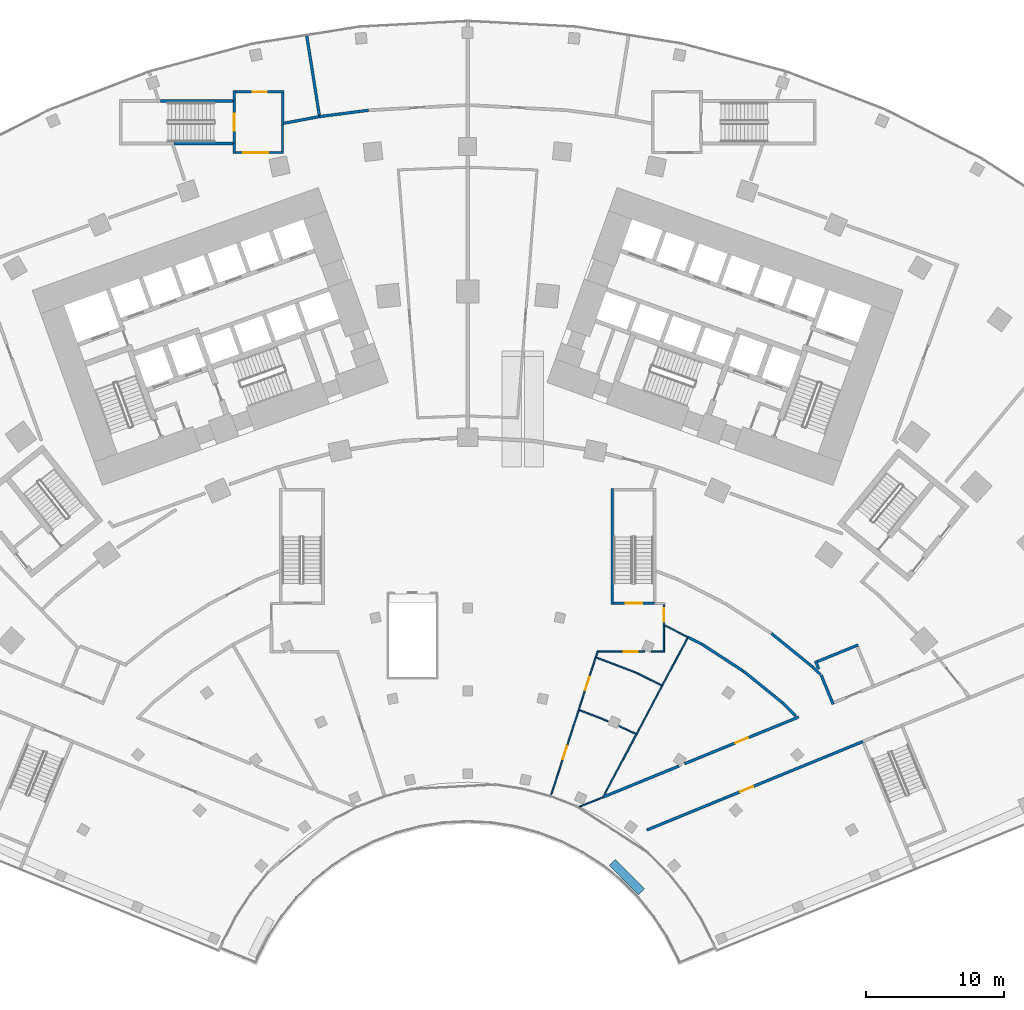
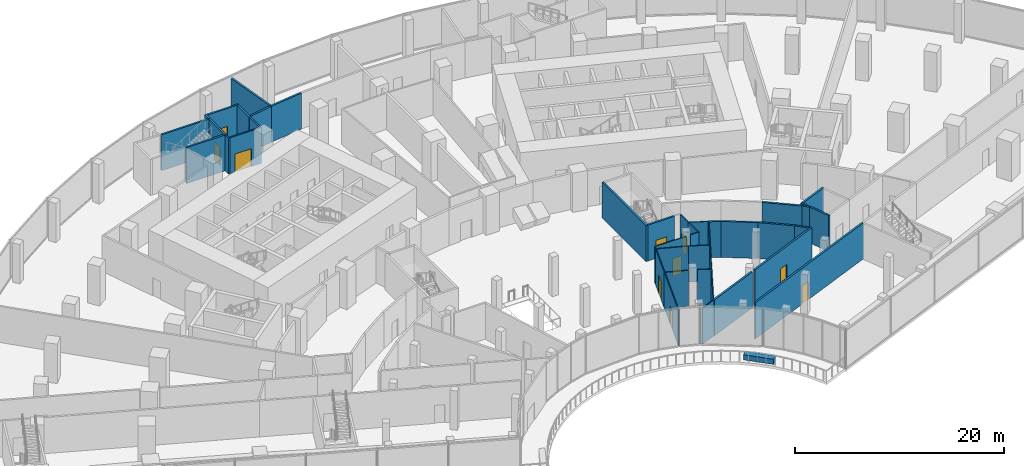
# One storey, part 25 of 40: 43 walls, 10 doors, 10 openings.
"""IFC4 building model written with IfcOpenShell, lengths in metres."""

import ifcopenshell
import ifcopenshell.guid

model = None  # the IFC model being written
_history = None  # IfcOwnerHistory: only IFC2X3 demands one
_inside = {}  # id of a spatial element -> (the spatial element, [elements in it])
_under = {}  # id of a project, library or spatial element -> (it, [spatial elements below it])
_declared = {}  # id of a project -> (the project, [libraries it declares])
_typed = {}  # id of a type object -> (the type object, [elements of that type])
_made_of = {}  # id of a material, layer set ... -> (it, [elements and type objects made of it])


def new_model(schema):
    """Start an empty IFC model of exactly this schema.

    Asked for "IFC4X3", IfcOpenShell would pick the latest addendum, in which some entities
    have other attributes; the version numbers below select the first issue.
    IFC2X3 requires an IfcOwnerHistory on every rooted entity: one is made here for all.
    """
    global model, _history
    if schema == "IFC4X3":
        model = ifcopenshell.file(schema_version=(4, 3, 0, 0))
    else:
        model = ifcopenshell.file(schema=schema)
    _inside.clear()
    _under.clear()
    _declared.clear()
    _typed.clear()
    _made_of.clear()
    _history = None
    if model.schema == "IFC2X3":
        org = make("IfcOrganization", Name="unknown")
        user = make(
            "IfcPersonAndOrganization",
            ThePerson=make("IfcPerson", FamilyName="unknown"),
            TheOrganization=org,
        )
        app = make(
            "IfcApplication",
            ApplicationDeveloper=org,
            Version="unknown",
            ApplicationFullName="unknown",
            ApplicationIdentifier="unknown",
        )
        _history = make(
            "IfcOwnerHistory",
            OwningUser=user,
            OwningApplication=app,
            ChangeAction="ADDED",
            CreationDate=0,
        )
    return model


def make(cls, **values):
    """One entity of the class cls with the attributes given. An attribute that is None is left unset."""
    return model.create_entity(
        cls, **{name: value for name, value in values.items() if value is not None}
    )


def rooted(cls, **values):
    """An entity with a GlobalId (a new one), such as an element, a storey or a relation."""
    return make(cls, GlobalId=ifcopenshell.guid.new(), OwnerHistory=_history, **values)


def si_unit(unit_type, name, prefix=None):
    """IfcSIUnit, for example si_unit("LENGTHUNIT", "METRE", prefix="MILLI")."""
    return make("IfcSIUnit", UnitType=unit_type, Prefix=prefix, Name=name)


def assignment(units):
    """IfcUnitAssignment: the units of a project."""
    return None if units is None else make("IfcUnitAssignment", Units=units)


def point(xyz):
    """IfcCartesianPoint."""
    return None if xyz is None else make("IfcCartesianPoint", Coordinates=xyz)


def direction(xyz):
    """IfcDirection."""
    return None if xyz is None else make("IfcDirection", DirectionRatios=xyz)


def frame(location, z_axis=None, x_axis=None):
    """IfcAxis2Placement3D, a coordinate frame: its origin and axes. An axis left out is left unset."""
    return make(
        "IfcAxis2Placement3D",
        Location=point(location),
        Axis=direction(z_axis),
        RefDirection=direction(x_axis),
    )


def frame_2d(location, x_axis=None):
    """IfcAxis2Placement2D, a coordinate frame in the plane: its origin and x axis."""
    return make(
        "IfcAxis2Placement2D", Location=point(location), RefDirection=direction(x_axis)
    )


def origin():
    """The frame at (0, 0, 0) with its axes left unset."""
    return frame((0.0, 0.0, 0.0))


def origin_2d():
    """The frame at (0, 0) in the plane with its x axis left unset."""
    return frame_2d((0.0, 0.0))


def place(relative_to, where):
    """IfcLocalPlacement: puts the frame where relative to a parent placement (None: the world)."""
    return make(
        "IfcLocalPlacement", PlacementRelTo=relative_to, RelativePlacement=where
    )


def context(
    kind, dimensions, precision=None, world=None, true_north=None, identifier=None
):
    """IfcGeometricRepresentationContext, for example the 3D "Model" context."""
    return make(
        "IfcGeometricRepresentationContext",
        ContextIdentifier=identifier,
        ContextType=kind,
        CoordinateSpaceDimension=dimensions,
        Precision=precision,
        WorldCoordinateSystem=world,
        TrueNorth=true_north,
    )


def subcontext(parent, identifier, kind, view, scale=None):
    """IfcGeometricRepresentationSubContext, for example "Body" below "Model"."""
    return make(
        "IfcGeometricRepresentationSubContext",
        ContextIdentifier=identifier,
        ContextType=kind,
        ParentContext=parent,
        TargetScale=scale,
        TargetView=view,
    )


def project(units=None, contexts=None):
    """IfcProject with its units and contexts."""
    return rooted(
        "IfcProject",
        Name="project",
        RepresentationContexts=contexts,
        UnitsInContext=assignment(units),
    )


def spatial(cls, under=None, at=None, **own):
    """A site, building, storey or space (cls), placed at a placement, below another one or the project."""
    s = rooted(cls, ObjectPlacement=at, **own)
    if under is not None:
        _under.setdefault(under.id(), (under, []))[1].append(s)
    return s


def profile(cls, at=None, kind="AREA", **sizes):
    """A parametric profile (cls). Its sizes go by their IFC names, for example OverallWidth=200.0."""
    return make(cls, ProfileType=kind, Position=at, **sizes)


def rectangle(**sizes):
    """IfcRectangleProfileDef."""
    return profile("IfcRectangleProfileDef", **sizes)


def extrude(swept, where, along, depth):
    """IfcExtrudedAreaSolid: the profile swept, set in the frame where, extruded along a direction by depth."""
    return make(
        "IfcExtrudedAreaSolid",
        SweptArea=swept,
        Position=where,
        ExtrudedDirection=direction(along),
        Depth=depth,
    )


def shape(context_of_items, identifier, shape_type, items):
    """IfcShapeRepresentation: the items that make up one representation, for example the "Body"."""
    return make(
        "IfcShapeRepresentation",
        ContextOfItems=context_of_items,
        RepresentationIdentifier=identifier,
        RepresentationType=shape_type,
        Items=items,
    )


def material(Name=None, Category=None):
    """IfcMaterial."""
    return make("IfcMaterial", Name=Name, Category=Category)


def layer(
    of_material, thickness, ventilated=None, Name=None, Category=None, Priority=None
):
    """IfcMaterialLayer: one layer of a wall or slab, of a material (None: an air gap)."""
    return make(
        "IfcMaterialLayer",
        Material=of_material,
        LayerThickness=thickness,
        IsVentilated=ventilated,
        Name=Name,
        Category=Category,
        Priority=Priority,
    )


def layer_set(layers, Name=None):
    """IfcMaterialLayerSet."""
    return make("IfcMaterialLayerSet", MaterialLayers=layers, LayerSetName=Name)


def made_of(thing, what):
    """Note that an element or type object is made of a material, layer set ...; save() writes the relation."""
    if what is not None:
        _made_of.setdefault(what.id(), (what, []))[1].append(thing)
    return thing


def type_object(cls, material=None, **own):
    """A type object (cls), such as IfcWallType, which elements share."""
    return made_of(rooted(cls, **own), material)


def element(
    cls,
    number,
    at=None,
    inside=None,
    cuts=None,
    type_object=None,
    material=None,
    context=None,
    identifier="Body",
    shape_type=None,
    held_by="IfcProductDefinitionShape",
    body=None,
    shapes=None,
    **own,
):
    """One element of the class cls, such as IfcWall. Its Tag is "e" and its number.

    at: its placement. inside: the storey or other place that contains it. cuts: it is an
    opening in that element (IfcRelVoidsElement). A single representation is given by context,
    identifier, shape_type and body (its items); several are given by shapes. held_by: the class
    of the entity that holds the representations. save() writes the other relations.
    """
    e = rooted(cls, Tag="e%d" % number, ObjectPlacement=at, **own)
    if body is not None:
        shapes = [shape(context, identifier, shape_type, body)]
    if shapes is not None:
        e.Representation = make(held_by, Representations=shapes)
    if inside is not None:
        _inside.setdefault(inside.id(), (inside, []))[1].append(e)
    if cuts is not None:
        rooted(
            "IfcRelVoidsElement", RelatingBuildingElement=cuts, RelatedOpeningElement=e
        )
    if type_object is not None:
        _typed.setdefault(type_object.id(), (type_object, []))[1].append(e)
    return made_of(e, material)


def fill(opening, filler):
    """IfcRelFillsElement: the door or window that sits in an opening."""
    return rooted(
        "IfcRelFillsElement",
        RelatingOpeningElement=opening,
        RelatedBuildingElement=filler,
    )


def aggregate(whole, parts):
    """IfcRelAggregates: a whole, such as a stair, and the parts it consists of."""
    return rooted("IfcRelAggregates", RelatingObject=whole, RelatedObjects=parts)


def save(model, path):
    """Write the relations noted so far, then the file.

    IfcRelAggregates (storeys below a building ...), IfcRelContainedInSpatialStructure (elements
    in a storey), IfcRelDefinesByType, IfcRelAssociatesMaterial and IfcRelDeclares: one each for
    every whole, place, type object, material and project.
    """
    for whole, parts in _under.values():
        aggregate(whole, parts)
    for where, things in _inside.values():
        rooted(
            "IfcRelContainedInSpatialStructure",
            RelatedElements=things,
            RelatingStructure=where,
        )
    for kind, things in _typed.values():
        rooted("IfcRelDefinesByType", RelatedObjects=things, RelatingType=kind)
    for what, things in _made_of.values():
        rooted("IfcRelAssociatesMaterial", RelatedObjects=things, RelatingMaterial=what)
    for by, libraries in _declared.values():
        rooted("IfcRelDeclares", RelatingContext=by, RelatedDefinitions=libraries)
    model.write(path)


model = new_model("IFC4")

# Units and contexts
model_context = context("Model", 3, precision=1e-05, world=origin(), true_north=direction((0.0, 1.0)))
body_context = subcontext(model_context, "Body", "Model", "MODEL_VIEW")
ifc_project = project(units=[si_unit("LENGTHUNIT", "METRE"), si_unit("AREAUNIT", "SQUARE_METRE"), si_unit("VOLUMEUNIT", "CUBIC_METRE"), si_unit("PLANEANGLEUNIT", "RADIAN"), si_unit("MASSUNIT", "GRAM", prefix="KILO")], contexts=[model_context])

# Site, building, storey
site_placement = place(None, origin())
site = spatial("IfcSite", under=ifc_project, at=site_placement, CompositionType="ELEMENT")
building_placement = place(site_placement, origin())
building = spatial("IfcBuilding", under=site, at=building_placement, Name="Stone Belt Terrace Tower", CompositionType="ELEMENT")
storey_placement = place(building_placement, frame((0.0, 0.0, 7.0)))
storey = spatial("IfcBuildingStorey", under=building, at=storey_placement, Name="L01", CompositionType="ELEMENT", Elevation=7.0)

# Walls
ifc_material_1 = material(Name="Precast concrete C40/50", Category="concrete")
ifc_layer_1 = layer(ifc_material_1, 0.60009765625)
ifc_layer_set_1 = layer_set([ifc_layer_1], Name="Planter box 600 x 600")
wall_type_1 = type_object("IfcWallType", Name="Planter box 600 x 600", PredefinedType="SOLIDWALL", material=ifc_layer_set_1)
wall_1_placement = place(storey_placement, frame((11.51708984375, 12.634033203125, 0.0), z_axis=(0.0, 0.0, 1.0), x_axis=(0.707106781187, -0.707106781187, 0.0)))
element("IfcWall", 1, at=wall_1_placement, inside=storey, type_object=wall_type_1, Name="PLANTER L01 2", PredefinedType="SOLIDWALL", context=body_context, shape_type="SweptSolid", body=[
    extrude(rectangle(XDim=3.0, YDim=0.60009765625, at=origin_2d()), origin(), (0.0, 0.0, 1.0), 0.60009765625),
])
ifc_material_2 = material(Name="Blockwork wall, plastered both faces", Category="masonry")
ifc_layer_2 = layer(ifc_material_2, 0.199951171875)
ifc_layer_set_2 = layer_set([ifc_layer_2], Name="Podium demising wall 200")
wall_type_2 = type_object("IfcWallType", Name="Podium demising wall 200", PredefinedType="PARTITIONING", material=ifc_layer_set_2)
wall_2_placement = place(storey_placement, frame((-16.889892578125, 68.780029296875, 0.0), z_axis=(0.0, 0.0, 1.0), x_axis=(0.0, 1.0, 0.0)))
element("IfcWall", 2, at=wall_2_placement, inside=storey, type_object=wall_type_2, Name="Podium demising wall 200", PredefinedType="PARTITIONING", context=body_context, shape_type="SweptSolid", body=[
    extrude(rectangle(XDim=0.77001953125, YDim=0.199951171875, at=frame_2d((0.385009765625, 0.0))), origin(), (0.0, 0.0, 1.0), 4.199951171875),
])

# Wall, opening, door
wall_3_placement = place(storey_placement, frame((-16.7900390625, 69.449951171875, 0.0), z_axis=(0.0, 0.0, 1.0), x_axis=(1.0, 0.0, 0.0)))
wall_3 = element("IfcWall", 3, at=wall_3_placement, inside=storey, type_object=wall_type_2, Name="Podium demising wall 200", PredefinedType="PARTITIONING", context=body_context, shape_type="SweptSolid", body=[
    extrude(rectangle(XDim=3.5, YDim=0.199951171875, at=frame_2d((1.75, 0.0))), origin(), (0.0, 0.0, 1.0), 4.199951171875),
])
opening_1_placement = place(wall_3_placement, frame((1.25, 0.0, 0.0)))
opening_1 = element("IfcOpeningElement", 4, at=opening_1_placement, cuts=wall_3, Name="Opening L01-P11", PredefinedType="OPENING", context=body_context, shape_type="SweptSolid", body=[
    extrude(rectangle(XDim=1.0, YDim=2.10009765625, at=frame_2d((0.5, 1.050048828125))), frame((0.0, 0.10986328125, 0.0), z_axis=(0.0, -1.0, 0.0), x_axis=(1.0, 0.0, 0.0)), (0.0, 0.0, 1.0), 0.219970703125),
])
ifc_material_3 = material(Name="Steel framed door leaf", Category="steel")
door_type_1 = type_object("IfcDoorType", Name="Podium door single 1000", OperationType="SINGLE_SWING_LEFT", PredefinedType="DOOR", material=ifc_material_3)
door_1_placement = place(opening_1_placement, origin())
door_1 = element("IfcDoor", 5, at=door_1_placement, inside=storey, type_object=door_type_1, Name="Podium door single 1000", OperationType="SINGLE_SWING_LEFT", OverallHeight=2.10009765625, OverallWidth=1.0, PredefinedType="DOOR", context=body_context, shape_type="SweptSolid", body=[
    extrude(rectangle(XDim=1.0, YDim=2.10009765625, at=frame_2d((0.5, 1.050048828125))), frame((0.0, 0.02490234375, 0.0), z_axis=(0.0, -1.0, 0.0), x_axis=(1.0, 0.0, 0.0)), (0.0, 0.0, 1.0), 0.050048828125),
])
fill(opening_1, door_1)

# Walls
wall_4_placement = place(storey_placement, frame((-13.389892578125, 67.058349609375, 0.0), z_axis=(0.0, 0.0, 1.0), x_axis=(0.0, 1.0, 0.0)))
element("IfcWall", 6, at=wall_4_placement, inside=storey, type_object=wall_type_2, Name="Podium demising wall 200", PredefinedType="PARTITIONING", context=body_context, shape_type="SweptSolid", body=[
    extrude(rectangle(XDim=2.291748046875, YDim=0.199951171875, at=frame_2d((1.14599609375, 0.0))), origin(), (0.0, 0.0, 1.0), 4.199951171875),
])
wall_5_placement = place(storey_placement, frame((-13.270263671875, 67.182373046875, 0.0), z_axis=(0.0, 0.0, 1.0), x_axis=(0.982912688176, 0.18407239723, 0.0)))
element("IfcWall", 7, at=wall_5_placement, inside=storey, type_object=wall_type_2, Name="Podium demising wall 200", PredefinedType="PARTITIONING", context=body_context, shape_type="SweptSolid", body=[
    extrude(rectangle(XDim=2.591552734375, YDim=0.199951171875, at=frame_2d((1.2958984375, 0.0))), origin(), (0.0, 0.0, 1.0), 4.199951171875),
])
wall_6_placement = place(storey_placement, frame((-11.65625, 73.58251953125, 0.0), z_axis=(0.0, 0.0, 1.0), x_axis=(0.156147561398, -0.987733738955, 0.0)))
element("IfcWall", 8, at=wall_6_placement, inside=storey, type_object=wall_type_2, Name="Podium demising wall 200", PredefinedType="PARTITIONING", context=body_context, shape_type="SweptSolid", body=[
    extrude(rectangle(XDim=5.89599609375, YDim=0.199951171875, at=frame_2d((2.947998046875, 0.0))), origin(), (0.0, 0.0, 1.0), 4.199951171875),
])
wall_7_placement = place(storey_placement, frame((-10.71728515625, 67.660400390625, 0.0), z_axis=(0.0, 0.0, 1.0), x_axis=(0.991761119843, 0.12810105842, 0.0)))
element("IfcWall", 9, at=wall_7_placement, inside=storey, type_object=wall_type_2, Name="Podium demising wall 200", PredefinedType="PARTITIONING", context=body_context, shape_type="SweptSolid", body=[
    extrude(rectangle(XDim=3.5830078125, YDim=0.199951171875, at=frame_2d((1.79150390625, 0.0))), origin(), (0.0, 0.0, 1.0), 4.199951171875),
])
wall_8_placement = place(storey_placement, frame((9.780029296875, 18.409912109375, 0.0), z_axis=(0.0, 0.0, 1.0), x_axis=(0.925445769953, 0.378880095645, 0.0)))
element("IfcWall", 10, at=wall_8_placement, inside=storey, type_object=wall_type_2, Name="Podium demising wall 200", PredefinedType="PARTITIONING", context=body_context, shape_type="SweptSolid", body=[
    extrude(rectangle(XDim=5.959228515625, YDim=0.199951171875, at=frame_2d((2.9794921875, 0.0))), origin(), (0.0, 0.0, 1.0), 4.199951171875),
])

# Wall, opening, door
wall_9_placement = place(storey_placement, frame((15.68798828125, 20.82861328125, 0.0), z_axis=(0.0, 0.0, 1.0), x_axis=(0.925445863762, 0.37887986651, 0.0)))
wall_9 = element("IfcWall", 11, at=wall_9_placement, inside=storey, type_object=wall_type_2, Name="Podium demising wall 200", PredefinedType="PARTITIONING", context=body_context, shape_type="SweptSolid", body=[
    extrude(rectangle(XDim=8.927734375, YDim=0.199951171875, at=frame_2d((4.4638671875, 0.0))), origin(), (0.0, 0.0, 1.0), 4.199951171875),
])
opening_2_placement = place(wall_9_placement, frame((3.9638671875, 0.0, 0.0)))
opening_2 = element("IfcOpeningElement", 12, at=opening_2_placement, cuts=wall_9, Name="Opening L01-P31", PredefinedType="OPENING", context=body_context, shape_type="SweptSolid", body=[
    extrude(rectangle(XDim=1.0, YDim=2.10009765625, at=frame_2d((0.5, 1.050048828125))), frame((0.0, 0.10986328125, 0.0), z_axis=(0.0, -1.0, 0.0), x_axis=(1.0, 0.0, 0.0)), (0.0, 0.0, 1.0), 0.219970703125),
])
door_2_placement = place(opening_2_placement, origin())
door_2 = element("IfcDoor", 13, at=door_2_placement, inside=storey, type_object=door_type_1, Name="Podium door single 1000", OperationType="SINGLE_SWING_LEFT", OverallHeight=2.10009765625, OverallWidth=1.0, PredefinedType="DOOR", context=body_context, shape_type="SweptSolid", body=[
    extrude(rectangle(XDim=1.0, YDim=2.10009765625, at=frame_2d((0.5, 1.050048828125))), frame((0.0, 0.02490234375, 0.0), z_axis=(0.0, -1.0, 0.0), x_axis=(1.0, 0.0, 0.0)), (0.0, 0.0, 1.0), 0.050048828125),
])
fill(opening_2, door_2)

wall_10_placement = place(storey_placement, frame((12.962890625, 16.032958984375, 0.0), z_axis=(0.0, 0.0, 1.0), x_axis=(0.925338544159, 0.379141897834, 0.0)))
wall_10 = element("IfcWall", 14, at=wall_10_placement, inside=storey, type_object=wall_type_2, Name="Podium demising wall 200", PredefinedType="PARTITIONING", context=body_context, shape_type="SweptSolid", body=[
    extrude(rectangle(XDim=16.898681640625, YDim=0.199951171875, at=frame_2d((8.44921875, 0.0))), origin(), (0.0, 0.0, 1.0), 4.199951171875),
])
opening_3_placement = place(wall_10_placement, frame((7.29931640625, 0.0, 0.0)))
opening_3 = element("IfcOpeningElement", 15, at=opening_3_placement, cuts=wall_10, Name="Opening L01-P20", PredefinedType="OPENING", context=body_context, shape_type="SweptSolid", body=[
    extrude(rectangle(XDim=1.0, YDim=2.10009765625, at=frame_2d((0.5, 1.050048828125))), frame((0.0, 0.10986328125, 0.0), z_axis=(0.0, -1.0, 0.0), x_axis=(1.0, 0.0, 0.0)), (0.0, 0.0, 1.0), 0.219970703125),
])
door_3_placement = place(opening_3_placement, origin())
door_3 = element("IfcDoor", 16, at=door_3_placement, inside=storey, type_object=door_type_1, Name="Podium door single 1000", OperationType="SINGLE_SWING_RIGHT", OverallHeight=2.10009765625, OverallWidth=1.0, PredefinedType="DOOR", context=body_context, shape_type="SweptSolid", body=[
    extrude(rectangle(XDim=1.0, YDim=2.10009765625, at=frame_2d((0.5, 1.050048828125))), frame((0.0, 0.02490234375, 0.0), z_axis=(0.0, -1.0, 0.0), x_axis=(1.0, 0.0, 0.0)), (0.0, 0.0, 1.0), 0.050048828125),
])
fill(opening_3, door_3)

# Walls
wall_11_placement = place(storey_placement, frame((15.93994140625, 29.989990234375, 0.0), z_axis=(0.0, 0.0, 1.0), x_axis=(0.891063090679, -0.453879464648, 0.0)))
element("IfcWall", 17, at=wall_11_placement, inside=storey, type_object=wall_type_2, Name="Podium demising wall 200", PredefinedType="PARTITIONING", context=body_context, shape_type="SweptSolid", body=[
    extrude(rectangle(XDim=1.1845703125, YDim=0.199951171875, at=frame_2d((0.59228515625, 0.0))), origin(), (0.0, 0.0, 1.0), 4.199951171875),
])
wall_12_placement = place(storey_placement, frame((17.00439453125, 29.447021484375, 0.0), z_axis=(0.0, 0.0, 1.0), x_axis=(0.838050073908, -0.545593322561, 0.0)))
element("IfcWall", 18, at=wall_12_placement, inside=storey, type_object=wall_type_2, Name="Podium demising wall 200", PredefinedType="PARTITIONING", context=body_context, shape_type="SweptSolid", body=[
    extrude(rectangle(XDim=3.54541015625, YDim=0.199951171875, at=frame_2d((1.772705078125, 0.0))), origin(), (0.0, 0.0, 1.0), 4.199951171875),
])
wall_13_placement = place(storey_placement, frame((19.98388671875, 27.5068359375, 0.0), z_axis=(0.0, 0.0, 1.0), x_axis=(0.777552089631, -0.628818533371, 0.0)))
element("IfcWall", 19, at=wall_13_placement, inside=storey, type_object=wall_type_2, Name="Podium demising wall 200", PredefinedType="PARTITIONING", context=body_context, shape_type="SweptSolid", body=[
    extrude(rectangle(XDim=3.55224609375, YDim=0.199951171875, at=frame_2d((1.776123046875, 0.0))), origin(), (0.0, 0.0, 1.0), 4.199951171875),
])
wall_14_placement = place(storey_placement, frame((21.984130859375, 30.256591796875, 0.0), z_axis=(0.0, 0.0, 1.0), x_axis=(0.776121645854, -0.63058321484, 0.0)))
element("IfcWall", 20, at=wall_14_placement, inside=storey, type_object=wall_type_2, Name="Podium demising wall 200", PredefinedType="PARTITIONING", context=body_context, shape_type="SweptSolid", body=[
    extrude(rectangle(XDim=3.906982421875, YDim=0.199951171875, at=frame_2d((1.95361328125, 0.0))), origin(), (0.0, 0.0, 1.0), 4.199951171875),
])
wall_15_placement = place(storey_placement, frame((22.753662109375, 25.266357421875, 0.0), z_axis=(0.0, 0.0, 1.0), x_axis=(0.707106781187, -0.707106781187, 0.0)))
element("IfcWall", 21, at=wall_15_placement, inside=storey, type_object=wall_type_2, Name="Podium demising wall 200", PredefinedType="PARTITIONING", context=body_context, shape_type="SweptSolid", body=[
    extrude(rectangle(XDim=1.400146484375, YDim=0.199951171875, at=frame_2d((0.7001953125, 0.0))), origin(), (0.0, 0.0, 1.0), 4.199951171875),
])
wall_16_placement = place(storey_placement, frame((25.0234375, 27.78662109375, 0.0), z_axis=(0.0, 0.0, 1.0), x_axis=(0.713397685098, -0.70075940443, 0.0)))
element("IfcWall", 22, at=wall_16_placement, inside=storey, type_object=wall_type_2, Name="Podium demising wall 200", PredefinedType="PARTITIONING", context=body_context, shape_type="SweptSolid", body=[
    extrude(rectangle(XDim=0.734130859375, YDim=0.199951171875, at=frame_2d((0.3671875, 0.0))), origin(), (0.0, 0.0, 1.0), 4.199951171875),
])
ifc_material_4 = material(Name="Reinforced blockwork wall, plastered both faces", Category="masonry")
ifc_layer_3 = layer(ifc_material_4, 0.199951171875)
ifc_layer_set_3 = layer_set([ifc_layer_3], Name="Podium lift shaft wall 200")
wall_type_3 = type_object("IfcWallType", Name="Podium lift shaft wall 200", PredefinedType="SOLIDWALL", material=ifc_layer_set_3)
wall_17_placement = place(storey_placement, frame((25.162109375, 28.2724609375, 0.0), z_axis=(0.0, 0.0, 1.0), x_axis=(0.379656743964, -0.925127427311, 0.0)))
element("IfcWall", 23, at=wall_17_placement, inside=storey, type_object=wall_type_3, Name="Podium lift shaft wall 200", PredefinedType="SOLIDWALL", context=body_context, shape_type="SweptSolid", body=[
    extrude(rectangle(XDim=0.640380859375, YDim=0.199951171875, at=frame_2d((0.3203125, 0.0))), origin(), (0.0, 0.0, 1.0), 4.199951171875),
])
wall_18_placement = place(storey_placement, frame((25.29248046875, 28.2177734375, 0.0), z_axis=(0.0, 0.0, 1.0), x_axis=(0.925660010793, 0.378356372246, 0.0)))
element("IfcWall", 24, at=wall_18_placement, inside=storey, type_object=wall_type_3, Name="Podium lift shaft wall 200", PredefinedType="SOLIDWALL", context=body_context, shape_type="SweptSolid", body=[
    extrude(rectangle(XDim=3.197998046875, YDim=0.199951171875, at=frame_2d((1.59912109375, 0.0))), origin(), (0.0, 0.0, 1.0), 4.199951171875),
])
wall_19_placement = place(storey_placement, frame((25.580078125, 27.25, 0.0), z_axis=(0.0, 0.0, 1.0), x_axis=(0.378392381611, -0.925645291426, 0.0)))
element("IfcWall", 25, at=wall_19_placement, inside=storey, type_object=wall_type_3, Name="Podium lift shaft wall 200", PredefinedType="SOLIDWALL", context=body_context, shape_type="SweptSolid", body=[
    extrude(rectangle(XDim=2.29296875, YDim=0.199951171875, at=frame_2d((1.146484375, 0.0))), origin(), (0.0, 0.0, 1.0), 4.199951171875),
])
ifc_material_5 = material(Name="Gypsum board on steel stud partition", Category="steel")
ifc_layer_4 = layer(ifc_material_5, 0.14990234375)
ifc_layer_set_4 = layer_set([ifc_layer_4], Name="Podium partition 150")
wall_type_4 = type_object("IfcWallType", Name="Podium partition 150", PredefinedType="PARTITIONING", material=ifc_layer_set_4)
wall_20_placement = place(storey_placement, frame((-16.889892578125, 64.97509765625, 0.0), z_axis=(0.0, 0.0, 1.0), x_axis=(0.0, 1.0, 0.0)))
element("IfcWall", 26, at=wall_20_placement, inside=storey, type_object=wall_type_4, Name="Podium partition 150", PredefinedType="PARTITIONING", context=body_context, shape_type="SweptSolid", body=[
    extrude(rectangle(XDim=0.744873046875, YDim=0.14990234375, at=frame_2d((0.37255859375, 0.0))), origin(), (0.0, 0.0, 1.0), 4.199951171875),
])

# Wall, opening, door
wall_21_placement = place(storey_placement, frame((-16.81494140625, 65.050048828125, 0.0), z_axis=(0.0, 0.0, 1.0), x_axis=(1.0, 0.0, 0.0)))
wall_21 = element("IfcWall", 27, at=wall_21_placement, inside=storey, type_object=wall_type_4, Name="Podium partition 150", PredefinedType="PARTITIONING", context=body_context, shape_type="SweptSolid", body=[
    extrude(rectangle(XDim=3.5, YDim=0.14990234375, at=frame_2d((1.75, 0.0))), origin(), (0.0, 0.0, 1.0), 4.199951171875),
])
opening_4_placement = place(wall_21_placement, frame((0.570068359375, 0.0, 0.0)))
opening_4 = element("IfcOpeningElement", 28, at=opening_4_placement, cuts=wall_21, Name="Opening L01-P37", PredefinedType="OPENING", context=body_context, shape_type="SweptSolid", body=[
    extrude(rectangle(XDim=1.800048828125, YDim=2.10009765625, at=frame_2d((0.89990234375, 1.050048828125))), frame((0.0, 0.0849609375, 0.0), z_axis=(0.0, -1.0, 0.0), x_axis=(1.0, 0.0, 0.0)), (0.0, 0.0, 1.0), 0.169921875),
])
door_type_2 = type_object("IfcDoorType", Name="Podium door double 1800", OperationType="DOUBLE_DOOR_SINGLE_SWING", PredefinedType="DOOR", material=ifc_material_3)
door_4_placement = place(opening_4_placement, origin())
door_4 = element("IfcDoor", 29, at=door_4_placement, inside=storey, type_object=door_type_2, Name="Podium door double 1800", OperationType="DOUBLE_DOOR_SINGLE_SWING", OverallHeight=2.10009765625, OverallWidth=1.800048828125, PredefinedType="DOOR", context=body_context, shape_type="SweptSolid", body=[
    extrude(rectangle(XDim=1.800048828125, YDim=2.10009765625, at=frame_2d((0.89990234375, 1.050048828125))), frame((0.0, 0.02490234375, 0.0), z_axis=(0.0, -1.0, 0.0), x_axis=(1.0, 0.0, 0.0)), (0.0, 0.0, 1.0), 0.050048828125),
])
fill(opening_4, door_4)

# Wall
wall_22_placement = place(storey_placement, frame((-13.389892578125, 65.125, 0.0), z_axis=(0.0, 0.0, 1.0), x_axis=(0.0, 1.0, 0.0)))
element("IfcWall", 30, at=wall_22_placement, inside=storey, type_object=wall_type_4, Name="Podium partition 150", PredefinedType="PARTITIONING", context=body_context, shape_type="SweptSolid", body=[
    extrude(rectangle(XDim=1.93310546875, YDim=0.14990234375, at=frame_2d((0.966552734375, 0.0))), origin(), (0.0, 0.0, 1.0), 4.199951171875),
])

# Wall, opening, door
wall_23_placement = place(storey_placement, frame((14.199951171875, 30.81396484375, 0.0), z_axis=(0.0, 0.0, 1.0), x_axis=(0.0, 1.0, 0.0)))
wall_23 = element("IfcWall", 31, at=wall_23_placement, inside=storey, type_object=wall_type_4, Name="Podium partition 150", PredefinedType="PARTITIONING", context=body_context, shape_type="SweptSolid", body=[
    extrude(rectangle(XDim=1.551025390625, YDim=0.14990234375, at=frame_2d((0.775390625, 0.0))), origin(), (0.0, 0.0, 1.0), 4.199951171875),
])
opening_5_placement = place(wall_23_placement, frame((0.275390625, 0.0, 0.0)))
opening_5 = element("IfcOpeningElement", 32, at=opening_5_placement, cuts=wall_23, Name="Opening L01-P41", PredefinedType="OPENING", context=body_context, shape_type="SweptSolid", body=[
    extrude(rectangle(XDim=1.0, YDim=2.10009765625, at=frame_2d((0.5, 1.050048828125))), frame((0.0, 0.0849609375, 0.0), z_axis=(0.0, -1.0, 0.0), x_axis=(1.0, 0.0, 0.0)), (0.0, 0.0, 1.0), 0.169921875),
])
door_5_placement = place(opening_5_placement, origin())
door_5 = element("IfcDoor", 33, at=door_5_placement, inside=storey, type_object=door_type_1, Name="Podium door single 1000", OperationType="SINGLE_SWING_LEFT", OverallHeight=2.10009765625, OverallWidth=1.0, PredefinedType="DOOR", context=body_context, shape_type="SweptSolid", body=[
    extrude(rectangle(XDim=1.0, YDim=2.10009765625, at=frame_2d((0.5, 1.050048828125))), frame((0.0, 0.02490234375, 0.0), z_axis=(0.0, -1.0, 0.0), x_axis=(1.0, 0.0, 0.0)), (0.0, 0.0, 1.0), 0.050048828125),
])
fill(opening_5, door_5)

# Walls
ifc_material_6 = material(Name="Concrete B30", Category="concrete")
ifc_layer_5 = layer(ifc_material_6, 0.199951171875)
ifc_layer_set_5 = layer_set([ifc_layer_5], Name="Podium stair and shaft wall 200")
wall_type_5 = type_object("IfcWallType", Name="Podium stair and shaft wall 200", PredefinedType="SOLIDWALL", material=ifc_layer_set_5)
wall_24_placement = place(storey_placement, frame((-22.222900390625, 68.780029296875, 0.0), z_axis=(0.0, 0.0, 1.0), x_axis=(1.0, 0.0, 0.0)))
element("IfcWall", 34, at=wall_24_placement, inside=storey, type_object=wall_type_5, Name="Podium stair and shaft wall 200", PredefinedType="SOLIDWALL", context=body_context, shape_type="SweptSolid", body=[
    extrude(rectangle(XDim=5.23291015625, YDim=0.199951171875, at=frame_2d((2.616455078125, 0.0))), origin(), (0.0, 0.0, 1.0), 4.199951171875),
])
wall_25_placement = place(storey_placement, frame((-21.2548828125, 65.719970703125, 0.0), z_axis=(0.0, 0.0, 1.0), x_axis=(1.0, 0.0, 0.0)))
element("IfcWall", 35, at=wall_25_placement, inside=storey, type_object=wall_type_5, Name="Podium stair and shaft wall 200", PredefinedType="SOLIDWALL", context=body_context, shape_type="SweptSolid", body=[
    extrude(rectangle(XDim=4.264892578125, YDim=0.199951171875, at=frame_2d((2.13232421875, 0.0))), origin(), (0.0, 0.0, 1.0), 4.199951171875),
])

# Wall, opening, door
wall_26_placement = place(storey_placement, frame((-16.889892578125, 65.719970703125, 0.0), z_axis=(0.0, 0.0, 1.0), x_axis=(0.0, 1.0, 0.0)))
wall_26 = element("IfcWall", 36, at=wall_26_placement, inside=storey, type_object=wall_type_5, Name="Podium stair and shaft wall 200", PredefinedType="SOLIDWALL", context=body_context, shape_type="SweptSolid", body=[
    extrude(rectangle(XDim=3.06005859375, YDim=0.199951171875, at=frame_2d((1.530029296875, 0.0))), origin(), (0.0, 0.0, 1.0), 4.199951171875),
])
opening_6_placement = place(wall_26_placement, frame((0.929931640625, 0.0, 0.0)))
opening_6 = element("IfcOpeningElement", 37, at=opening_6_placement, cuts=wall_26, Name="Opening L01-P07", PredefinedType="OPENING", context=body_context, shape_type="SweptSolid", body=[
    extrude(rectangle(XDim=1.199951171875, YDim=2.10009765625, at=frame_2d((0.60009765625, 1.050048828125))), frame((0.0, 0.10986328125, 0.0), z_axis=(0.0, -1.0, 0.0), x_axis=(1.0, 0.0, 0.0)), (0.0, 0.0, 1.0), 0.219970703125),
])
door_type_3 = type_object("IfcDoorType", Name="Podium door fire stair 1200", OperationType="SINGLE_SWING_LEFT", PredefinedType="DOOR", material=ifc_material_3)
door_6_placement = place(opening_6_placement, origin())
door_6 = element("IfcDoor", 38, at=door_6_placement, inside=storey, type_object=door_type_3, Name="Podium door fire stair 1200", OperationType="SINGLE_SWING_LEFT", OverallHeight=2.10009765625, OverallWidth=1.199951171875, PredefinedType="DOOR", context=body_context, shape_type="SweptSolid", body=[
    extrude(rectangle(XDim=1.199951171875, YDim=2.10009765625, at=frame_2d((0.60009765625, 1.050048828125))), frame((0.0, 0.02490234375, 0.0), z_axis=(0.0, -1.0, 0.0), x_axis=(1.0, 0.0, 0.0)), (0.0, 0.0, 1.0), 0.050048828125),
])
fill(opening_6, door_6)

# Wall
wall_27_placement = place(storey_placement, frame((10.469970703125, 32.340087890625, 0.0), z_axis=(0.0, 0.0, 1.0), x_axis=(0.0, 1.0, 0.0)))
element("IfcWall", 39, at=wall_27_placement, inside=storey, type_object=wall_type_5, Name="Podium stair and shaft wall 200", PredefinedType="SOLIDWALL", context=body_context, shape_type="SweptSolid", body=[
    extrude(rectangle(XDim=8.419921875, YDim=0.199951171875, at=frame_2d((4.2099609375, 0.0))), origin(), (0.0, 0.0, 1.0), 4.199951171875),
])

# Wall, opening, door
wall_28_placement = place(storey_placement, frame((10.570068359375, 32.43994140625, 0.0), z_axis=(0.0, 0.0, 1.0), x_axis=(1.0, 0.0, 0.0)))
wall_28 = element("IfcWall", 40, at=wall_28_placement, inside=storey, type_object=wall_type_5, Name="Podium stair and shaft wall 200", PredefinedType="SOLIDWALL", context=body_context, shape_type="SweptSolid", body=[
    extrude(rectangle(XDim=2.9599609375, YDim=0.199951171875, at=frame_2d((1.47998046875, 0.0))), origin(), (0.0, 0.0, 1.0), 4.199951171875),
])
opening_7_placement = place(wall_28_placement, frame((0.8798828125, 0.0, 0.0)))
opening_7 = element("IfcOpeningElement", 41, at=opening_7_placement, cuts=wall_28, Name="Opening L01-P06", PredefinedType="OPENING", context=body_context, shape_type="SweptSolid", body=[
    extrude(rectangle(XDim=1.199951171875, YDim=2.10009765625, at=frame_2d((0.60009765625, 1.050048828125))), frame((0.0, 0.10986328125, 0.0), z_axis=(0.0, -1.0, 0.0), x_axis=(1.0, 0.0, 0.0)), (0.0, 0.0, 1.0), 0.219970703125),
])
door_7_placement = place(opening_7_placement, origin())
door_7 = element("IfcDoor", 42, at=door_7_placement, inside=storey, type_object=door_type_3, Name="Podium door fire stair 1200", OperationType="SINGLE_SWING_RIGHT", OverallHeight=2.10009765625, OverallWidth=1.199951171875, PredefinedType="DOOR", context=body_context, shape_type="SweptSolid", body=[
    extrude(rectangle(XDim=1.199951171875, YDim=2.10009765625, at=frame_2d((0.60009765625, 1.050048828125))), frame((0.0, 0.02490234375, 0.0), z_axis=(0.0, -1.0, 0.0), x_axis=(1.0, 0.0, 0.0)), (0.0, 0.0, 1.0), 0.050048828125),
])
fill(opening_7, door_7)

ifc_material_7 = material(Name="Moisture-resistant board on steel stud partition", Category="steel")
ifc_layer_6 = layer(ifc_material_7, 0.10009765625)
ifc_layer_set_6 = layer_set([ifc_layer_6], Name="Podium toilet partition 100")
wall_type_6 = type_object("IfcWallType", Name="Podium toilet partition 100", PredefinedType="PARTITIONING", material=ifc_layer_set_6)
wall_29_placement = place(storey_placement, frame((6.030029296875, 18.550048828125, 0.0), z_axis=(0.0, 0.0, 1.0), x_axis=(0.309299283951, 0.95096474853, 0.0)))
wall_29 = element("IfcWall", 43, at=wall_29_placement, inside=storey, type_object=wall_type_6, Name="Podium toilet partition 100", PredefinedType="PARTITIONING", context=body_context, shape_type="SweptSolid", body=[
    extrude(rectangle(XDim=6.49853515625, YDim=0.10009765625, at=frame_2d((3.249267578125, 0.0))), origin(), (0.0, 0.0, 1.0), 4.199951171875),
])
opening_8_placement = place(wall_29_placement, frame((2.749267578125, 0.0, 0.0)))
opening_8 = element("IfcOpeningElement", 44, at=opening_8_placement, cuts=wall_29, Name="Opening L01-P28", PredefinedType="OPENING", context=body_context, shape_type="SweptSolid", body=[
    extrude(rectangle(XDim=1.0, YDim=2.10009765625, at=frame_2d((0.5, 1.050048828125))), frame((0.0, 0.06005859375, 0.0), z_axis=(0.0, -1.0, 0.0), x_axis=(1.0, 0.0, 0.0)), (0.0, 0.0, 1.0), 0.1201171875),
])
door_8_placement = place(opening_8_placement, origin())
door_8 = element("IfcDoor", 45, at=door_8_placement, inside=storey, type_object=door_type_1, Name="Podium door single 1000", OperationType="SINGLE_SWING_RIGHT", OverallHeight=2.10009765625, OverallWidth=1.0, PredefinedType="DOOR", context=body_context, shape_type="SweptSolid", body=[
    extrude(rectangle(XDim=1.0, YDim=2.10009765625, at=frame_2d((0.5, 1.050048828125))), frame((0.0, 0.02490234375, 0.0), z_axis=(0.0, -1.0, 0.0), x_axis=(1.0, 0.0, 0.0)), (0.0, 0.0, 1.0), 0.050048828125),
])
fill(opening_8, door_8)

wall_30_placement = place(storey_placement, frame((8.0341796875, 24.7333984375, 0.0), z_axis=(0.0, 0.0, 1.0), x_axis=(0.308788120231, 0.951130851568, 0.0)))
wall_30 = element("IfcWall", 46, at=wall_30_placement, inside=storey, type_object=wall_type_6, Name="Podium toilet partition 100", PredefinedType="PARTITIONING", context=body_context, shape_type="SweptSolid", body=[
    extrude(rectangle(XDim=4.002197265625, YDim=0.10009765625, at=frame_2d((2.0009765625, 0.0))), origin(), (0.0, 0.0, 1.0), 4.199951171875),
])
opening_9_placement = place(wall_30_placement, frame((1.494140625, 0.0, 0.0)))
opening_9 = element("IfcOpeningElement", 47, at=opening_9_placement, cuts=wall_30, Name="Opening L01-P29", PredefinedType="OPENING", context=body_context, shape_type="SweptSolid", body=[
    extrude(rectangle(XDim=1.0, YDim=2.10009765625, at=frame_2d((0.5, 1.050048828125))), frame((0.0, 0.06005859375, 0.0), z_axis=(0.0, -1.0, 0.0), x_axis=(1.0, 0.0, 0.0)), (0.0, 0.0, 1.0), 0.1201171875),
])
door_9_placement = place(opening_9_placement, origin())
door_9 = element("IfcDoor", 48, at=door_9_placement, inside=storey, type_object=door_type_1, Name="Podium door single 1000", OperationType="SINGLE_SWING_LEFT", OverallHeight=2.10009765625, OverallWidth=1.0, PredefinedType="DOOR", context=body_context, shape_type="SweptSolid", body=[
    extrude(rectangle(XDim=1.0, YDim=2.10009765625, at=frame_2d((0.5, 1.050048828125))), frame((0.0, 0.02490234375, 0.0), z_axis=(0.0, -1.0, 0.0), x_axis=(1.0, 0.0, 0.0)), (0.0, 0.0, 1.0), 0.050048828125),
])
fill(opening_9, door_9)

# Walls
wall_31_placement = place(storey_placement, frame((8.087890625, 24.707763671875, 0.0), z_axis=(0.0, 0.0, 1.0), x_axis=(0.932941825705, -0.360027151547, 0.0)))
element("IfcWall", 49, at=wall_31_placement, inside=storey, type_object=wall_type_6, Name="Podium toilet partition 100", PredefinedType="PARTITIONING", context=body_context, shape_type="SweptSolid", body=[
    extrude(rectangle(XDim=2.231689453125, YDim=0.10009765625, at=frame_2d((1.11572265625, 0.0))), origin(), (0.0, 0.0, 1.0), 4.199951171875),
])
wall_32_placement = place(storey_placement, frame((8.110107421875, 17.719970703125, 0.0), z_axis=(0.0, 0.0, 1.0), x_axis=(0.92501642558, 0.379927114598, 0.0)))
element("IfcWall", 50, at=wall_32_placement, inside=storey, type_object=wall_type_6, Name="Podium toilet partition 100", PredefinedType="PARTITIONING", context=body_context, shape_type="SweptSolid", body=[
    extrude(rectangle(XDim=1.806396484375, YDim=0.10009765625, at=frame_2d((0.9033203125, 0.0))), origin(), (0.0, 0.0, 1.0), 4.199951171875),
])
wall_33_placement = place(storey_placement, frame((9.27294921875, 28.53955078125, 0.0), z_axis=(0.0, 0.0, 1.0), x_axis=(0.302713209669, 0.953081692559, 0.0)))
element("IfcWall", 51, at=wall_33_placement, inside=storey, type_object=wall_type_6, Name="Podium toilet partition 100", PredefinedType="PARTITIONING", context=body_context, shape_type="SweptSolid", body=[
    extrude(rectangle(XDim=0.47265625, YDim=0.10009765625, at=frame_2d((0.236328125, 0.0))), origin(), (0.0, 0.0, 1.0), 4.199951171875),
])
wall_34_placement = place(storey_placement, frame((9.31689453125, 28.51220703125, 0.0), z_axis=(0.0, 0.0, 1.0), x_axis=(0.934082118637, -0.357058252451, 0.0)))
element("IfcWall", 52, at=wall_34_placement, inside=storey, type_object=wall_type_6, Name="Podium toilet partition 100", PredefinedType="PARTITIONING", context=body_context, shape_type="SweptSolid", body=[
    extrude(rectangle(XDim=3.08447265625, YDim=0.10009765625, at=frame_2d((1.542236328125, 0.0))), origin(), (0.0, 0.0, 1.0), 4.199951171875),
])

# Wall, opening, door
wall_35_placement = place(storey_placement, frame((9.452392578125, 28.93994140625, 0.0), z_axis=(0.0, 0.0, 1.0), x_axis=(1.0, 0.0, 0.0)))
wall_35 = element("IfcWall", 53, at=wall_35_placement, inside=storey, type_object=wall_type_6, Name="Podium toilet partition 100", PredefinedType="PARTITIONING", context=body_context, shape_type="SweptSolid", body=[
    extrude(rectangle(XDim=3.37060546875, YDim=0.10009765625, at=frame_2d((1.685302734375, 0.0))), origin(), (0.0, 0.0, 1.0), 4.199951171875),
])
opening_10_placement = place(wall_35_placement, frame((1.858154296875, 0.0, 0.0)))
opening_10 = element("IfcOpeningElement", 54, at=opening_10_placement, cuts=wall_35, Name="Opening L01-P30", PredefinedType="OPENING", context=body_context, shape_type="SweptSolid", body=[
    extrude(rectangle(XDim=1.0, YDim=2.10009765625, at=frame_2d((0.5, 1.050048828125))), frame((0.0, 0.06005859375, 0.0), z_axis=(0.0, -1.0, 0.0), x_axis=(1.0, 0.0, 0.0)), (0.0, 0.0, 1.0), 0.1201171875),
])
door_10_placement = place(opening_10_placement, origin())
door_10 = element("IfcDoor", 55, at=door_10_placement, inside=storey, type_object=door_type_1, Name="Podium door single 1000", OperationType="SINGLE_SWING_RIGHT", OverallHeight=2.10009765625, OverallWidth=1.0, PredefinedType="DOOR", context=body_context, shape_type="SweptSolid", body=[
    extrude(rectangle(XDim=1.0, YDim=2.10009765625, at=frame_2d((0.5, 1.050048828125))), frame((0.0, 0.02490234375, 0.0), z_axis=(0.0, -1.0, 0.0), x_axis=(1.0, 0.0, 0.0)), (0.0, 0.0, 1.0), 0.050048828125),
])
fill(opening_10, door_10)

# Walls
wall_36_placement = place(storey_placement, frame((13.28955078125, 28.93994140625, 0.0), z_axis=(0.0, 0.0, 1.0), x_axis=(1.0, 0.0, 0.0)))
element("IfcWall", 56, at=wall_36_placement, inside=storey, type_object=wall_type_6, Name="Podium toilet partition 100", PredefinedType="PARTITIONING", context=body_context, shape_type="SweptSolid", body=[
    extrude(rectangle(XDim=0.96044921875, YDim=0.10009765625, at=frame_2d((0.480224609375, 0.0))), origin(), (0.0, 0.0, 1.0), 4.199951171875),
])
wall_37_placement = place(storey_placement, frame((9.894287109375, 18.606201171875, 0.0), z_axis=(0.0, 0.0, 1.0), x_axis=(0.46958834082, 0.88288549097, 0.0)))
element("IfcWall", 57, at=wall_37_placement, inside=storey, type_object=wall_type_6, Name="Podium toilet partition 100", PredefinedType="PARTITIONING", context=body_context, shape_type="SweptSolid", body=[
    extrude(rectangle(XDim=4.931396484375, YDim=0.10009765625, at=frame_2d((2.4658203125, 0.0))), origin(), (0.0, 0.0, 1.0), 4.199951171875),
])
wall_38_placement = place(storey_placement, frame((10.965087890625, 23.559814453125, 0.0), z_axis=(0.0, 0.0, 1.0), x_axis=(0.900858308742, -0.434113242796, 0.0)))
element("IfcWall", 58, at=wall_38_placement, inside=storey, type_object=wall_type_6, Name="Podium toilet partition 100", PredefinedType="PARTITIONING", context=body_context, shape_type="SweptSolid", body=[
    extrude(rectangle(XDim=1.331787109375, YDim=0.10009765625, at=frame_2d((0.666015625, 0.0))), origin(), (0.0, 0.0, 1.0), 4.199951171875),
])
wall_39_placement = place(storey_placement, frame((12.201904296875, 27.408935546875, 0.0), z_axis=(0.0, 0.0, 1.0), x_axis=(0.898245861145, -0.43949331387, 0.0)))
element("IfcWall", 59, at=wall_39_placement, inside=storey, type_object=wall_type_6, Name="Podium toilet partition 100", PredefinedType="PARTITIONING", context=body_context, shape_type="SweptSolid", body=[
    extrude(rectangle(XDim=2.041015625, YDim=0.10009765625, at=frame_2d((1.0205078125, 0.0))), origin(), (0.0, 0.0, 1.0), 4.199951171875),
])
wall_40_placement = place(storey_placement, frame((12.2099609375, 22.9599609375, 0.0), z_axis=(0.0, 0.0, 1.0), x_axis=(0.468137610754, 0.883655576227, 0.0)))
element("IfcWall", 60, at=wall_40_placement, inside=storey, type_object=wall_type_6, Name="Podium toilet partition 100", PredefinedType="PARTITIONING", context=body_context, shape_type="SweptSolid", body=[
    extrude(rectangle(XDim=3.994873046875, YDim=0.10009765625, at=frame_2d((1.99755859375, 0.0))), origin(), (0.0, 0.0, 1.0), 4.199951171875),
])
wall_41_placement = place(storey_placement, frame((14.080078125, 26.489990234375, 0.0), z_axis=(0.0, 0.0, 1.0), x_axis=(0.470322482557, 0.882494624574, 0.0)))
element("IfcWall", 61, at=wall_41_placement, inside=storey, type_object=wall_type_6, Name="Podium toilet partition 100", PredefinedType="PARTITIONING", context=body_context, shape_type="SweptSolid", body=[
    extrude(rectangle(XDim=3.862548828125, YDim=0.10009765625, at=frame_2d((1.93115234375, 0.0))), origin(), (0.0, 0.0, 1.0), 4.199951171875),
])
wall_42_placement = place(storey_placement, frame((14.199951171875, 28.989990234375, 0.0), z_axis=(0.0, 0.0, 1.0), x_axis=(0.0, 1.0, 0.0)))
element("IfcWall", 62, at=wall_42_placement, inside=storey, type_object=wall_type_6, Name="Podium toilet partition 100", PredefinedType="PARTITIONING", context=body_context, shape_type="SweptSolid", body=[
    extrude(rectangle(XDim=1.822021484375, YDim=0.10009765625, at=frame_2d((0.9111328125, 0.0))), origin(), (0.0, 0.0, 1.0), 4.199951171875),
])
wall_43_placement = place(storey_placement, frame((14.27490234375, 30.831787109375, 0.0), z_axis=(0.0, 0.0, 1.0), x_axis=(0.891369892412, -0.453276642793, 0.0)))
element("IfcWall", 63, at=wall_43_placement, inside=storey, type_object=wall_type_6, Name="Podium toilet partition 100", PredefinedType="PARTITIONING", context=body_context, shape_type="SweptSolid", body=[
    extrude(rectangle(XDim=1.865234375, YDim=0.10009765625, at=frame_2d((0.9326171875, 0.0))), origin(), (0.0, 0.0, 1.0), 4.199951171875),
])

save(model, "model.ifc")
